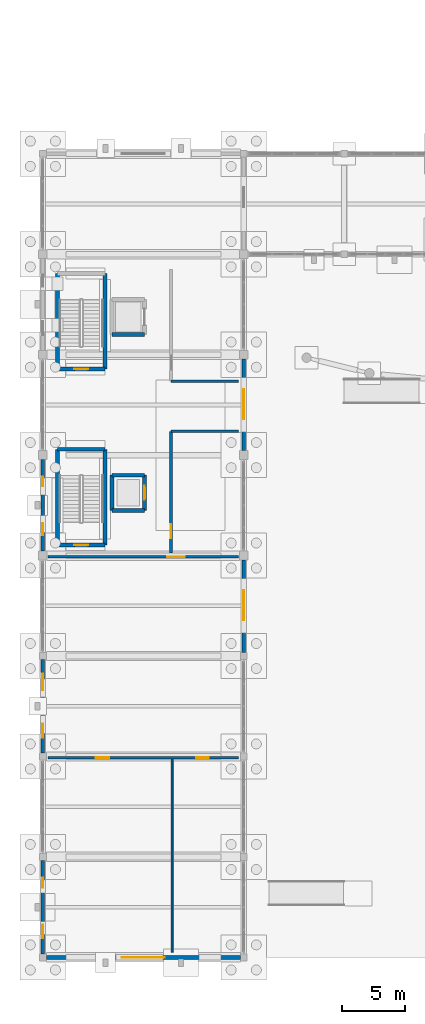
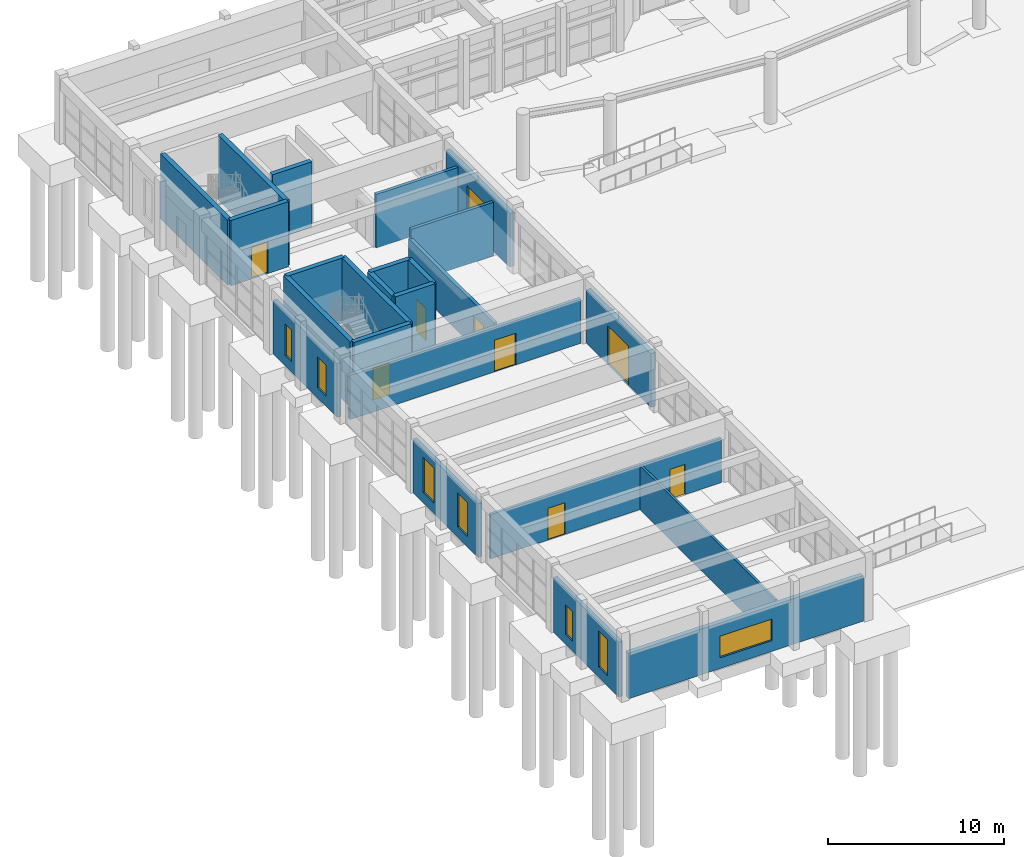
# One storey, part 43 of 68: 24 walls, 9 doors, 7 windows, 16 openings.
"""IFC4 building model written with IfcOpenShell, lengths in metres."""

from ifc_helpers import new_model, si_unit, direction, frame, frame_2d, origin, place, context, subcontext, project, spatial, rectangle, extrude, material, layer, layer_set, type_object, element, fill, save


model = new_model("IFC4")

# Units and contexts
model_context = context("Model", 3, precision=1e-05, world=origin(), true_north=direction((0.0, 1.0)))
body_context = subcontext(model_context, "Body", "Model", "MODEL_VIEW")
ifc_project = project(units=[si_unit("LENGTHUNIT", "METRE"), si_unit("AREAUNIT", "SQUARE_METRE"), si_unit("VOLUMEUNIT", "CUBIC_METRE"), si_unit("PLANEANGLEUNIT", "RADIAN"), si_unit("MASSUNIT", "GRAM", prefix="KILO")], contexts=[model_context])

# Site, building, storey
site_placement = place(None, origin())
site = spatial("IfcSite", under=ifc_project, at=site_placement, CompositionType="ELEMENT")
building_placement = place(site_placement, origin())
building = spatial("IfcBuilding", under=site, at=building_placement, Name="Serraluz Foothill Cableway Terminal", CompositionType="ELEMENT")
storey_placement = place(building_placement, origin())
storey = spatial("IfcBuildingStorey", under=building, at=storey_placement, Name="L00", CompositionType="ELEMENT", Elevation=0.0)

# Wall, openings, windows
ifc_material_1 = material(Name="Fired clay masonry brick (f'm 12 MPa)", Category="masonry")
ifc_layer_1 = layer(ifc_material_1, 0.260009765625, Name="Fired clay masonry brick (f'm 12 MPa)", Category="masonry")
ifc_layer_set_1 = layer_set([ifc_layer_1], Name="Fired clay masonry brick (f'm 12 MPa)")
wall_type_1 = type_object("IfcWallType", Name="TYP-WL-EXT-260", PredefinedType="STANDARD", material=ifc_layer_set_1)
wall_1_placement = place(storey_placement, frame((0.0, 0.27490234375, 0.0), z_axis=(0.0, 0.0, 1.0), x_axis=(0.0, 1.0, 0.0)))
wall_1 = element("IfcWall", 1, at=wall_1_placement, inside=storey, type_object=wall_type_1, Name="Exterior Masonry Wall EW-V5W-L00-0", PredefinedType="STANDARD", context=body_context, shape_type="SweptSolid", body=[
    extrude(rectangle(XDim=7.4501953125, YDim=0.260009765625, at=frame_2d((3.72509765625, 0.0))), origin(), (0.0, 0.0, 1.0), 3.820068359375),
])
opening_1_placement = place(wall_1_placement, frame((1.262939453125, 0.0, 0.719970703125)))
opening_1 = element("IfcOpeningElement", 2, at=opening_1_placement, cuts=wall_1, Name="Opening W-38", PredefinedType="OPENING", context=body_context, shape_type="SweptSolid", body=[
    extrude(rectangle(XDim=1.050048828125, YDim=2.5, at=frame_2d((0.52490234375, 1.25))), frame((0.0, 0.14013671875, 0.0), z_axis=(0.0, -1.0, 0.0), x_axis=(1.0, 0.0, 0.0)), (0.0, 0.0, 1.0), 0.280029296875),
])
opening_2_placement = place(wall_1_placement, frame((5.261962890625, 0.0, 0.719970703125)))
opening_2 = element("IfcOpeningElement", 3, at=opening_2_placement, cuts=wall_1, Name="Opening W-36", PredefinedType="OPENING", context=body_context, shape_type="SweptSolid", body=[
    extrude(rectangle(XDim=0.800048828125, YDim=2.050048828125, at=frame_2d((0.39990234375, 1.02490234375))), frame((0.0, 0.14013671875, 0.0), z_axis=(0.0, -1.0, 0.0), x_axis=(1.0, 0.0, 0.0)), (0.0, 0.0, 1.0), 0.280029296875),
])
ifc_material_2 = material(Name="Laminated low-E safety glass", Category="glass")
window_type_1 = type_object("IfcWindowType", Name="TYP-WN-080X205", PartitioningType="SINGLE_PANEL", PredefinedType="WINDOW", material=ifc_material_2)
window_1_placement = place(opening_2_placement, origin())
window_1 = element("IfcWindow", 4, at=window_1_placement, inside=storey, type_object=window_type_1, Name="Exterior Window EW-V5W-L00-0-WN3", OverallHeight=2.050048828125, OverallWidth=0.800048828125, PartitioningType="SINGLE_PANEL", PredefinedType="WINDOW", context=body_context, shape_type="SweptSolid", body=[
    extrude(rectangle(XDim=0.800048828125, YDim=2.050048828125, at=frame_2d((0.39990234375, 1.02490234375))), frame((0.0, 0.030029296875, 0.0), z_axis=(0.0, -1.0, 0.0), x_axis=(1.0, 0.0, 0.0)), (0.0, 0.0, 1.0), 0.06005859375),
])
fill(opening_2, window_1)
window_type_2 = type_object("IfcWindowType", Name="TYP-WN-105X250", PartitioningType="SINGLE_PANEL", PredefinedType="WINDOW", material=ifc_material_2)
window_2_placement = place(opening_1_placement, origin())
window_2 = element("IfcWindow", 5, at=window_2_placement, inside=storey, type_object=window_type_2, Name="Exterior Window EW-V5W-L00-0-WN1", OverallHeight=2.5, OverallWidth=1.050048828125, PartitioningType="SINGLE_PANEL", PredefinedType="WINDOW", context=body_context, shape_type="SweptSolid", body=[
    extrude(rectangle(XDim=1.050048828125, YDim=2.5, at=frame_2d((0.52490234375, 1.25))), frame((0.0, 0.030029296875, 0.0), z_axis=(0.0, -1.0, 0.0), x_axis=(1.0, 0.0, 0.0)), (0.0, 0.0, 1.0), 0.06005859375),
])
fill(opening_1, window_2)

wall_2_placement = place(storey_placement, frame((0.0, 16.27490234375, 0.0), z_axis=(0.0, 0.0, 1.0), x_axis=(0.0, 1.0, 0.0)))
wall_2 = element("IfcWall", 6, at=wall_2_placement, inside=storey, type_object=wall_type_1, Name="Exterior Masonry Wall EW-V5W-L00-16", PredefinedType="STANDARD", context=body_context, shape_type="SweptSolid", body=[
    extrude(rectangle(XDim=7.4501953125, YDim=0.260009765625, at=frame_2d((3.72509765625, 0.0))), origin(), (0.0, 0.0, 1.0), 3.739990234375),
])
opening_3_placement = place(wall_2_placement, frame((1.22802734375, 0.0, 0.719970703125)))
opening_3 = element("IfcOpeningElement", 7, at=opening_3_placement, cuts=wall_2, Name="Opening W-50", PredefinedType="OPENING", context=body_context, shape_type="SweptSolid", body=[
    extrude(rectangle(XDim=1.1201171875, YDim=2.35009765625, at=frame_2d((0.56005859375, 1.175048828125))), frame((0.0, 0.14013671875, 0.0), z_axis=(0.0, -1.0, 0.0), x_axis=(1.0, 0.0, 0.0)), (0.0, 0.0, 1.0), 0.280029296875),
])
opening_4_placement = place(wall_2_placement, frame((5.011962890625, 0.0, 0.719970703125)))
opening_4 = element("IfcOpeningElement", 8, at=opening_4_placement, cuts=wall_2, Name="Opening W-40", PredefinedType="OPENING", context=body_context, shape_type="SweptSolid", body=[
    extrude(rectangle(XDim=1.300048828125, YDim=2.449951171875, at=frame_2d((0.64990234375, 1.22509765625))), frame((0.0, 0.14013671875, 0.0), z_axis=(0.0, -1.0, 0.0), x_axis=(1.0, 0.0, 0.0)), (0.0, 0.0, 1.0), 0.280029296875),
])
window_type_3 = type_object("IfcWindowType", Name="TYP-WN-112X235", PartitioningType="SINGLE_PANEL", PredefinedType="WINDOW", material=ifc_material_2)
window_3_placement = place(opening_3_placement, origin())
window_3 = element("IfcWindow", 9, at=window_3_placement, inside=storey, type_object=window_type_3, Name="Exterior Window EW-V5W-L00-16-WN1", OverallHeight=2.35009765625, OverallWidth=1.1201171875, PartitioningType="SINGLE_PANEL", PredefinedType="WINDOW", context=body_context, shape_type="SweptSolid", body=[
    extrude(rectangle(XDim=1.1201171875, YDim=2.35009765625, at=frame_2d((0.56005859375, 1.175048828125))), frame((0.0, 0.030029296875, 0.0), z_axis=(0.0, -1.0, 0.0), x_axis=(1.0, 0.0, 0.0)), (0.0, 0.0, 1.0), 0.06005859375),
])
fill(opening_3, window_3)
window_type_4 = type_object("IfcWindowType", Name="TYP-WN-130X245", PartitioningType="DOUBLE_PANEL_VERTICAL", PredefinedType="WINDOW", material=ifc_material_2)
window_4_placement = place(opening_4_placement, origin())
window_4 = element("IfcWindow", 10, at=window_4_placement, inside=storey, type_object=window_type_4, Name="Exterior Window EW-V5W-L00-16-WN3", OverallHeight=2.449951171875, OverallWidth=1.300048828125, PartitioningType="SINGLE_PANEL", PredefinedType="WINDOW", context=body_context, shape_type="SweptSolid", body=[
    extrude(rectangle(XDim=1.300048828125, YDim=2.449951171875, at=frame_2d((0.64990234375, 1.22509765625))), frame((0.0, 0.030029296875, 0.0), z_axis=(0.0, -1.0, 0.0), x_axis=(1.0, 0.0, 0.0)), (0.0, 0.0, 1.0), 0.06005859375),
])
fill(opening_4, window_4)

wall_3_placement = place(storey_placement, frame((0.0, 32.35009765625, 0.0), z_axis=(0.0, 0.0, 1.0), x_axis=(0.0, 1.0, 0.0)))
wall_3 = element("IfcWall", 11, at=wall_3_placement, inside=storey, type_object=wall_type_1, Name="Exterior Masonry Wall EW-V5W-L00-32", PredefinedType="STANDARD", context=body_context, shape_type="SweptSolid", body=[
    extrude(rectangle(XDim=7.2998046875, YDim=0.260009765625, at=frame_2d((3.64990234375, 0.0))), origin(), (0.0, 0.0, 1.0), 3.739990234375),
])
opening_5_placement = place(wall_3_placement, frame((1.261962890625, 0.0, 0.719970703125)))
opening_5 = element("IfcOpeningElement", 12, at=opening_5_placement, cuts=wall_3, Name="Opening W-49", PredefinedType="OPENING", context=body_context, shape_type="SweptSolid", body=[
    extrude(rectangle(XDim=0.97998046875, YDim=2.14990234375, at=frame_2d((0.489990234375, 1.074951171875))), frame((0.0, 0.14013671875, 0.0), z_axis=(0.0, -1.0, 0.0), x_axis=(1.0, 0.0, 0.0)), (0.0, 0.0, 1.0), 0.280029296875),
])
opening_6_placement = place(wall_3_placement, frame((5.173095703125, 0.0, 0.719970703125)))
opening_6 = element("IfcOpeningElement", 13, at=opening_6_placement, cuts=wall_3, Name="Opening W-01", PredefinedType="OPENING", context=body_context, shape_type="SweptSolid", body=[
    extrude(rectangle(XDim=0.75, YDim=2.199951171875, at=frame_2d((0.375, 1.10009765625))), frame((0.0, 0.14013671875, 0.0), z_axis=(0.0, -1.0, 0.0), x_axis=(1.0, 0.0, 0.0)), (0.0, 0.0, 1.0), 0.280029296875),
])
window_type_5 = type_object("IfcWindowType", Name="TYP-WN-075X220", PartitioningType="SINGLE_PANEL", PredefinedType="WINDOW", material=ifc_material_2)
window_5_placement = place(opening_6_placement, origin())
window_5 = element("IfcWindow", 14, at=window_5_placement, inside=storey, type_object=window_type_5, Name="Exterior Window EW-V5W-L00-32-WN3", OverallHeight=2.199951171875, OverallWidth=0.75, PartitioningType="SINGLE_PANEL", PredefinedType="WINDOW", context=body_context, shape_type="SweptSolid", body=[
    extrude(rectangle(XDim=0.75, YDim=2.199951171875, at=frame_2d((0.375, 1.10009765625))), frame((0.0, 0.030029296875, 0.0), z_axis=(0.0, -1.0, 0.0), x_axis=(1.0, 0.0, 0.0)), (0.0, 0.0, 1.0), 0.06005859375),
])
fill(opening_6, window_5)
window_type_6 = type_object("IfcWindowType", Name="TYP-WN-098X215", PartitioningType="SINGLE_PANEL", PredefinedType="WINDOW", material=ifc_material_2)
window_6_placement = place(opening_5_placement, origin())
window_6 = element("IfcWindow", 15, at=window_6_placement, inside=storey, type_object=window_type_6, Name="Exterior Window EW-V5W-L00-32-WN1", OverallHeight=2.14990234375, OverallWidth=0.97998046875, PartitioningType="SINGLE_PANEL", PredefinedType="WINDOW", context=body_context, shape_type="SweptSolid", body=[
    extrude(rectangle(XDim=0.97998046875, YDim=2.14990234375, at=frame_2d((0.489990234375, 1.074951171875))), frame((0.0, 0.030029296875, 0.0), z_axis=(0.0, -1.0, 0.0), x_axis=(1.0, 0.0, 0.0)), (0.0, 0.0, 1.0), 0.06005859375),
])
fill(opening_5, window_6)

# Wall, opening, door
ifc_layer_2 = layer(ifc_material_1, 0.300048828125, Name="Fired clay masonry brick (f'm 12 MPa)", Category="masonry")
ifc_layer_set_2 = layer_set([ifc_layer_2], Name="Fired clay masonry brick (f'm 12 MPa)")
wall_type_2 = type_object("IfcWallType", Name="TYP-WL-EXT-300", PredefinedType="STANDARD", material=ifc_layer_set_2)
wall_4_placement = place(storey_placement, frame((16.0, 31.64990234375, 0.0), z_axis=(0.0, 0.0, 1.0), x_axis=(0.0, -1.0, 0.0)))
wall_4 = element("IfcWall", 16, at=wall_4_placement, inside=storey, type_object=wall_type_2, Name="Exterior Masonry Wall EW-V5E-L00-24", PredefinedType="STANDARD", context=body_context, shape_type="SweptSolid", body=[
    extrude(rectangle(XDim=7.375, YDim=0.300048828125, at=frame_2d((3.6875, 0.0))), origin(), (0.0, 0.0, 1.0), 3.739990234375),
])
opening_7_placement = place(wall_4_placement, frame((2.39990234375, 0.0, 0.0)))
opening_7 = element("IfcOpeningElement", 17, at=opening_7_placement, cuts=wall_4, Name="Opening DE-03", PredefinedType="OPENING", context=body_context, shape_type="SweptSolid", body=[
    extrude(rectangle(XDim=2.39990234375, YDim=2.699951171875, at=frame_2d((1.199951171875, 1.35009765625))), frame((0.0, 0.16015625, 0.0), z_axis=(0.0, -1.0, 0.0), x_axis=(1.0, 0.0, 0.0)), (0.0, 0.0, 1.0), 0.320068359375),
])
ifc_material_3 = material(Name="Architectural bronze alloy C28000", Category="aluminium")
door_type_1 = type_object("IfcDoorType", Name="TYP-DR-EX-2400", OperationType="DOUBLE_DOOR_SINGLE_SWING", PredefinedType="DOOR", material=ifc_material_3)
door_1_placement = place(opening_7_placement, origin())
door_1 = element("IfcDoor", 18, at=door_1_placement, inside=storey, type_object=door_type_1, Name="Main pedestrian exit door D-EX10", OperationType="DOUBLE_DOOR_SINGLE_SWING", OverallHeight=2.699951171875, OverallWidth=2.39990234375, PredefinedType="DOOR", context=body_context, shape_type="SweptSolid", body=[
    extrude(rectangle(XDim=2.39990234375, YDim=2.699951171875, at=frame_2d((1.199951171875, 1.35009765625))), frame((0.0, 0.02490234375, 0.0), z_axis=(0.0, -1.0, 0.0), x_axis=(1.0, 0.0, 0.0)), (0.0, 0.0, 1.0), 0.050048828125),
])
fill(opening_7, door_1)

wall_5_placement = place(storey_placement, frame((16.0, 47.64990234375, 0.0), z_axis=(0.0, 0.0, 1.0), x_axis=(0.0, -1.0, 0.0)))
wall_5 = element("IfcWall", 19, at=wall_5_placement, inside=storey, type_object=wall_type_2, Name="Exterior Masonry Wall EW-V5E-L00-40", PredefinedType="STANDARD", context=body_context, shape_type="SweptSolid", body=[
    extrude(rectangle(XDim=7.2998046875, YDim=0.300048828125, at=frame_2d((3.64990234375, 0.0))), origin(), (0.0, 0.0, 1.0), 3.739990234375),
])
opening_8_placement = place(wall_5_placement, frame((2.39990234375, 0.0, 0.0)))
opening_8 = element("IfcOpeningElement", 20, at=opening_8_placement, cuts=wall_5, Name="Opening DE-03", PredefinedType="OPENING", context=body_context, shape_type="SweptSolid", body=[
    extrude(rectangle(XDim=2.39990234375, YDim=2.699951171875, at=frame_2d((1.199951171875, 1.35009765625))), frame((0.0, 0.16015625, 0.0), z_axis=(0.0, -1.0, 0.0), x_axis=(1.0, 0.0, 0.0)), (0.0, 0.0, 1.0), 0.320068359375),
])
door_2_placement = place(opening_8_placement, origin())
door_2 = element("IfcDoor", 21, at=door_2_placement, inside=storey, type_object=door_type_1, Name="Main pedestrian exit door D-EX11", OperationType="DOUBLE_DOOR_SINGLE_SWING", OverallHeight=2.699951171875, OverallWidth=2.39990234375, PredefinedType="DOOR", context=body_context, shape_type="SweptSolid", body=[
    extrude(rectangle(XDim=2.39990234375, YDim=2.699951171875, at=frame_2d((1.199951171875, 1.35009765625))), frame((0.0, 0.02490234375, 0.0), z_axis=(0.0, -1.0, 0.0), x_axis=(1.0, 0.0, 0.0)), (0.0, 0.0, 1.0), 0.050048828125),
])
fill(opening_8, door_2)

# Wall, opening, window
wall_6_placement = place(storey_placement, frame((15.72509765625, 0.0, 0.0), z_axis=(0.0, 0.0, 1.0), x_axis=(-1.0, 0.0, 0.0)))
wall_6 = element("IfcWall", 22, at=wall_6_placement, inside=storey, type_object=wall_type_2, Name="Exterior Masonry Wall EW-V5S-L00", PredefinedType="STANDARD", context=body_context, shape_type="SweptSolid", body=[
    extrude(rectangle(XDim=15.4501953125, YDim=0.300048828125, at=frame_2d((7.72509765625, 0.0))), origin(), (0.0, 0.0, 1.0), 3.169921875),
])
opening_9_placement = place(wall_6_placement, frame((6.025390625, 0.0, 0.75)))
opening_9 = element("IfcOpeningElement", 23, at=opening_9_placement, cuts=wall_6, Name="Opening W-33", PredefinedType="OPENING", context=body_context, shape_type="SweptSolid", body=[
    extrude(rectangle(XDim=3.39892578125, YDim=1.5, at=frame_2d((1.699462890625, 0.75))), frame((0.0, 0.16015625, 0.0), z_axis=(0.0, -1.0, 0.0), x_axis=(1.0, 0.0, 0.0)), (0.0, 0.0, 1.0), 0.320068359375),
])
window_type_7 = type_object("IfcWindowType", Name="TYP-WN-345X150", PartitioningType="TRIPLE_PANEL_VERTICAL", PredefinedType="WINDOW", material=ifc_material_2)
window_7_placement = place(opening_9_placement, origin())
window_7 = element("IfcWindow", 24, at=window_7_placement, inside=storey, type_object=window_type_7, Name="Exterior Window EW-V5S-L00-WN2", OverallHeight=1.5, OverallWidth=3.39892578125, PartitioningType="SINGLE_PANEL", PredefinedType="WINDOW", context=body_context, shape_type="SweptSolid", body=[
    extrude(rectangle(XDim=3.39892578125, YDim=1.5, at=frame_2d((1.699462890625, 0.75))), frame((0.0, 0.030029296875, 0.0), z_axis=(0.0, -1.0, 0.0), x_axis=(1.0, 0.0, 0.0)), (0.0, 0.0, 1.0), 0.06005859375),
])
fill(opening_9, window_7)

# Wall
ifc_material_4 = material(Name="Lightweight gypsum and steel stud partition", Category="steel")
ifc_layer_3 = layer(ifc_material_4, 0.14990234375, Name="Lightweight gypsum and steel stud partition", Category="steel")
ifc_layer_set_3 = layer_set([ifc_layer_3], Name="Lightweight gypsum and steel stud partition")
wall_type_3 = type_object("IfcWallType", Name="TYP-WL-PRT-150", PredefinedType="PARTITIONING", material=ifc_layer_set_3)
wall_7_placement = place(storey_placement, frame((10.300048828125, 0.39990234375, 0.0), z_axis=(0.0, 0.0, 1.0), x_axis=(0.0, 1.0, 0.0)))
element("IfcWall", 25, at=wall_7_placement, inside=storey, type_object=wall_type_3, Name="Interior Partition PT-L00-16", PredefinedType="PARTITIONING", context=body_context, shape_type="SweptSolid", body=[
    extrude(rectangle(XDim=15.400146484375, YDim=0.14990234375, at=frame_2d((7.7001953125, 0.0))), origin(), (0.0, 0.0, 1.0), 3.08203125),
])

# Wall, openings, doors
ifc_layer_4 = layer(ifc_material_1, 0.179931640625, Name="Fired clay masonry brick (f'm 12 MPa)", Category="masonry")
ifc_layer_set_4 = layer_set([ifc_layer_4], Name="Fired clay masonry brick (f'm 12 MPa)")
wall_type_4 = type_object("IfcWallType", Name="TYP-WL-PRT-180", PredefinedType="PARTITIONING", material=ifc_layer_set_4)
wall_8_placement = place(storey_placement, frame((0.39990234375, 15.89990234375, 0.0), z_axis=(0.0, 0.0, 1.0), x_axis=(1.0, 0.0, 0.0)))
wall_8 = element("IfcWall", 26, at=wall_8_placement, inside=storey, type_object=wall_type_4, Name="Interior Partition PT-L00-15", PredefinedType="PARTITIONING", context=body_context, shape_type="SweptSolid", body=[
    extrude(rectangle(XDim=15.2001953125, YDim=0.179931640625, at=frame_2d((7.60009765625, 0.0))), origin(), (0.0, 0.0, 1.0), 3.08203125),
])
opening_10_placement = place(wall_8_placement, frame((3.800048828125, 0.0, 0.0)))
opening_10 = element("IfcOpeningElement", 27, at=opening_10_placement, cuts=wall_8, Name="Opening DF-03", PredefinedType="OPENING", context=body_context, shape_type="SweptSolid", body=[
    extrude(rectangle(XDim=1.10009765625, YDim=2.199951171875, at=frame_2d((0.550048828125, 1.10009765625))), frame((0.0, 0.10009765625, 0.0), z_axis=(0.0, -1.0, 0.0), x_axis=(1.0, 0.0, 0.0)), (0.0, 0.0, 1.0), 0.199951171875),
])
opening_11_placement = place(wall_8_placement, frame((11.800048828125, 0.0, 0.0)))
opening_11 = element("IfcOpeningElement", 28, at=opening_11_placement, cuts=wall_8, Name="Opening DI-04", PredefinedType="OPENING", context=body_context, shape_type="SweptSolid", body=[
    extrude(rectangle(XDim=1.0, YDim=2.10009765625, at=frame_2d((0.5, 1.050048828125))), frame((0.0, 0.10009765625, 0.0), z_axis=(0.0, -1.0, 0.0), x_axis=(1.0, 0.0, 0.0)), (0.0, 0.0, 1.0), 0.199951171875),
])
ifc_material_5 = material(Name="Kiln-dried Andean oak hardwood", Category="wood")
door_type_2 = type_object("IfcDoorType", Name="TYP-DR-ACC-1000", OperationType="NOTDEFINED", PredefinedType="DOOR", material=ifc_material_5)
door_3_placement = place(opening_11_placement, origin())
door_3 = element("IfcDoor", 29, at=door_3_placement, inside=storey, type_object=door_type_2, Name="Interior Door PT-L00-15-DR2", OperationType="SINGLE_SWING_RIGHT", OverallHeight=2.10009765625, OverallWidth=1.0, PredefinedType="DOOR", context=body_context, shape_type="SweptSolid", body=[
    extrude(rectangle(XDim=1.0, YDim=2.10009765625, at=frame_2d((0.5, 1.050048828125))), frame((0.0, 0.02490234375, 0.0), z_axis=(0.0, -1.0, 0.0), x_axis=(1.0, 0.0, 0.0)), (0.0, 0.0, 1.0), 0.050048828125),
])
fill(opening_11, door_3)
ifc_material_6 = material(Name="Galvanized hollow-metal steel sheet", Category="steel")
door_type_3 = type_object("IfcDoorType", Name="TYP-DR-FD30-1100", OperationType="NOTDEFINED", PredefinedType="DOOR", material=ifc_material_6)
door_4_placement = place(opening_10_placement, origin())
door_4 = element("IfcDoor", 30, at=door_4_placement, inside=storey, type_object=door_type_3, Name="Interior Door PT-L00-15-DR1", OperationType="SINGLE_SWING_LEFT", OverallHeight=2.199951171875, OverallWidth=1.10009765625, PredefinedType="DOOR", context=body_context, shape_type="SweptSolid", body=[
    extrude(rectangle(XDim=1.10009765625, YDim=2.199951171875, at=frame_2d((0.550048828125, 1.10009765625))), frame((0.0, 0.02490234375, 0.0), z_axis=(0.0, -1.0, 0.0), x_axis=(1.0, 0.0, 0.0)), (0.0, 0.0, 1.0), 0.050048828125),
])
fill(opening_10, door_4)

# Walls
ifc_layer_5 = layer(ifc_material_1, 0.199951171875, Name="Fired clay masonry brick (f'm 12 MPa)", Category="masonry")
ifc_layer_set_5 = layer_set([ifc_layer_5], Name="Fired clay masonry brick (f'm 12 MPa)")
wall_type_5 = type_object("IfcWallType", Name="TYP-WL-PRT-200", PredefinedType="PARTITIONING", material=ifc_layer_set_5)
for number, where, z_axis, x_axis, name in (
    (31, (10.199951171875, 41.89990234375, 0.0), (0.0, 0.0, 1.0), (1.0, 0.0, 0.0), "Interior Partition PT-L00-24S"),
    (32, (10.199951171875, 45.89990234375, 0.0), (0.0, 0.0, 1.0), (1.0, 0.0, 0.0), "Interior Partition PT-L00-24N"),
):
    element("IfcWall", number, at=place(storey_placement, frame(where, z_axis=z_axis, x_axis=x_axis)), inside=storey, type_object=wall_type_5, Name=name, PredefinedType="PARTITIONING", context=body_context, shape_type="SweptSolid", body=[
        extrude(rectangle(XDim=5.400146484375, YDim=0.199951171875, at=frame_2d((2.7001953125, 0.0))), origin(), (0.0, 0.0, 1.0), 3.73193359375),
    ])

# Wall, opening, door
ifc_material_7 = material(Name="Concrete C28/35 (f'c 28 MPa)", Category="concrete")
ifc_layer_6 = layer(ifc_material_7, 0.219970703125, Name="Concrete C28/35 (f'c 28 MPa)", Category="concrete")
ifc_layer_set_6 = layer_set([ifc_layer_6], Name="Concrete C28/35 (f'c 28 MPa)")
wall_type_6 = type_object("IfcWallType", Name="TYP-WL-PRT-220", PredefinedType="PARTITIONING", material=ifc_layer_set_6)
wall_9_placement = place(storey_placement, frame((0.39990234375, 31.89990234375, 0.0), z_axis=(0.0, 0.0, 1.0), x_axis=(1.0, 0.0, 0.0)))
wall_9 = element("IfcWall", 33, at=wall_9_placement, inside=storey, type_object=wall_type_6, Name="Interior Partition PT-L00-14", PredefinedType="PARTITIONING", context=body_context, shape_type="SweptSolid", body=[
    extrude(rectangle(XDim=15.2001953125, YDim=0.219970703125, at=frame_2d((7.60009765625, 0.0))), origin(), (0.0, 0.0, 1.0), 3.08203125),
])
opening_12_placement = place(wall_9_placement, frame((9.5, 0.0, 0.0)))
opening_12 = element("IfcOpeningElement", 34, at=opening_12_placement, cuts=wall_9, Name="Opening DF-09", PredefinedType="OPENING", context=body_context, shape_type="SweptSolid", body=[
    extrude(rectangle(XDim=1.39990234375, YDim=2.199951171875, at=frame_2d((0.699951171875, 1.10009765625))), frame((0.0, 0.1201171875, 0.0), z_axis=(0.0, -1.0, 0.0), x_axis=(1.0, 0.0, 0.0)), (0.0, 0.0, 1.0), 0.239990234375),
])
door_type_4 = type_object("IfcDoorType", Name="TYP-DR-FD60-1400", OperationType="DOUBLE_DOOR_SINGLE_SWING", PredefinedType="DOOR", material=ifc_material_6)
door_5_placement = place(opening_12_placement, origin())
door_5 = element("IfcDoor", 35, at=door_5_placement, inside=storey, type_object=door_type_4, Name="Interior Door PT-L00-14-DR1", OperationType="DOUBLE_DOOR_SINGLE_SWING", OverallHeight=2.199951171875, OverallWidth=1.39990234375, PredefinedType="DOOR", context=body_context, shape_type="SweptSolid", body=[
    extrude(rectangle(XDim=1.39990234375, YDim=2.199951171875, at=frame_2d((0.699951171875, 1.10009765625))), frame((0.0, 0.02490234375, 0.0), z_axis=(0.0, -1.0, 0.0), x_axis=(1.0, 0.0, 0.0)), (0.0, 0.0, 1.0), 0.050048828125),
])
fill(opening_12, door_5)

wall_10_placement = place(storey_placement, frame((10.199951171875, 32.199951171875, 0.0), z_axis=(0.0, 0.0, 1.0), x_axis=(0.0, 1.0, 0.0)))
wall_10 = element("IfcWall", 36, at=wall_10_placement, inside=storey, type_object=wall_type_6, Name="Interior Partition PT-L00-24E", PredefinedType="PARTITIONING", context=body_context, shape_type="SweptSolid", body=[
    extrude(rectangle(XDim=9.699951171875, YDim=0.219970703125, at=frame_2d((4.85009765625, 0.0))), origin(), (0.0, 0.0, 1.0), 3.08203125),
])
opening_13_placement = place(wall_10_placement, frame((1.199951171875, 0.0, 0.0)))
opening_13 = element("IfcOpeningElement", 37, at=opening_13_placement, cuts=wall_10, Name="Opening DF-07", PredefinedType="OPENING", context=body_context, shape_type="SweptSolid", body=[
    extrude(rectangle(XDim=1.10009765625, YDim=2.199951171875, at=frame_2d((0.550048828125, 1.10009765625))), frame((0.0, 0.1201171875, 0.0), z_axis=(0.0, -1.0, 0.0), x_axis=(1.0, 0.0, 0.0)), (0.0, 0.0, 1.0), 0.239990234375),
])
door_type_5 = type_object("IfcDoorType", Name="TYP-DR-FD60-1100", OperationType="NOTDEFINED", PredefinedType="DOOR", material=ifc_material_6)
door_6_placement = place(opening_13_placement, origin())
door_6 = element("IfcDoor", 38, at=door_6_placement, inside=storey, type_object=door_type_5, Name="Interior Door PT-L00-24E-DR1", OperationType="SINGLE_SWING_RIGHT", OverallHeight=2.199951171875, OverallWidth=1.10009765625, PredefinedType="DOOR", context=body_context, shape_type="SweptSolid", body=[
    extrude(rectangle(XDim=1.10009765625, YDim=2.199951171875, at=frame_2d((0.550048828125, 1.10009765625))), frame((0.0, 0.02490234375, 0.0), z_axis=(0.0, -1.0, 0.0), x_axis=(1.0, 0.0, 0.0)), (0.0, 0.0, 1.0), 0.050048828125),
])
fill(opening_13, door_6)

ifc_material_8 = material(Name="Concrete C35/45 (f'c 35 MPa)", Category="concrete")
ifc_layer_7 = layer(ifc_material_8, 0.300048828125, Name="Concrete C35/45 (f'c 35 MPa)", Category="concrete")
ifc_layer_set_7 = layer_set([ifc_layer_7], Name="Concrete C35/45 (f'c 35 MPa)")
wall_type_7 = type_object("IfcWallType", Name="TYP-WL-SHR-350", PredefinedType="SHEAR", material=ifc_layer_set_7)
wall_11_placement = place(storey_placement, frame((4.949951171875, 46.85009765625, 0.0), z_axis=(0.0, 0.0, 1.0), x_axis=(-1.0, 0.0, 0.0)))
wall_11 = element("IfcWall", 39, at=wall_11_placement, inside=storey, type_object=wall_type_7, Name="Stair Core Shear Wall CW-ST-01-L00-S", PredefinedType="SHEAR", context=body_context, shape_type="SweptSolid", body=[
    extrude(rectangle(XDim=3.780029296875, YDim=0.300048828125, at=frame_2d((1.89013671875, 0.0))), origin(), (0.0, 0.0, 1.0), 4.5400390625),
])
opening_14_placement = place(wall_11_placement, frame((1.340087890625, 0.0, 0.0)))
opening_14 = element("IfcOpeningElement", 40, at=opening_14_placement, cuts=wall_11, Name="Opening DF-07", PredefinedType="OPENING", context=body_context, shape_type="SweptSolid", body=[
    extrude(rectangle(XDim=1.10009765625, YDim=2.199951171875, at=frame_2d((0.550048828125, 1.10009765625))), frame((0.0, 0.16015625, 0.0), z_axis=(0.0, -1.0, 0.0), x_axis=(1.0, 0.0, 0.0)), (0.0, 0.0, 1.0), 0.320068359375),
])
door_7_placement = place(opening_14_placement, origin())
door_7 = element("IfcDoor", 41, at=door_7_placement, inside=storey, type_object=door_type_5, Name="Exit Stair Fire Door ST-01 L00", OperationType="SINGLE_SWING_RIGHT", OverallHeight=2.199951171875, OverallWidth=1.10009765625, PredefinedType="DOOR", context=body_context, shape_type="SweptSolid", body=[
    extrude(rectangle(XDim=1.10009765625, YDim=2.199951171875, at=frame_2d((0.550048828125, 1.10009765625))), frame((0.0, 0.02490234375, 0.0), z_axis=(0.0, -1.0, 0.0), x_axis=(1.0, 0.0, 0.0)), (0.0, 0.0, 1.0), 0.050048828125),
])
fill(opening_14, door_7)

# Walls
for number, where, z_axis, x_axis, name in (
    (42, (1.169921875, 46.85009765625, 0.0), (0.0, 0.0, 1.0), (0.0, 1.0, 0.0), "Stair Core Shear Wall CW-ST-01-L00-W"),
    (43, (4.949951171875, 54.4599609375, 0.0), (0.0, 0.0, 1.0), (0.0, -1.0, 0.0), "Stair Core Shear Wall CW-ST-01-L00-E"),
):
    element("IfcWall", number, at=place(storey_placement, frame(where, z_axis=z_axis, x_axis=x_axis)), inside=storey, type_object=wall_type_7, Name=name, PredefinedType="SHEAR", context=body_context, shape_type="SweptSolid", body=[
        extrude(rectangle(XDim=7.60986328125, YDim=0.300048828125, at=frame_2d((3.804931640625, 0.0))), origin(), (0.0, 0.0, 1.0), 4.5400390625),
    ])

# Wall, opening, door
wall_12_placement = place(storey_placement, frame((4.949951171875, 32.85009765625, 0.0), z_axis=(0.0, 0.0, 1.0), x_axis=(-1.0, 0.0, 0.0)))
wall_12 = element("IfcWall", 44, at=wall_12_placement, inside=storey, type_object=wall_type_7, Name="Stair Core Shear Wall CW-ST-02-L00-S", PredefinedType="SHEAR", context=body_context, shape_type="SweptSolid", body=[
    extrude(rectangle(XDim=3.780029296875, YDim=0.300048828125, at=frame_2d((1.89013671875, 0.0))), origin(), (0.0, 0.0, 1.0), 4.5400390625),
])
opening_15_placement = place(wall_12_placement, frame((1.340087890625, 0.0, 0.0)))
opening_15 = element("IfcOpeningElement", 45, at=opening_15_placement, cuts=wall_12, Name="Opening DF-07", PredefinedType="OPENING", context=body_context, shape_type="SweptSolid", body=[
    extrude(rectangle(XDim=1.10009765625, YDim=2.199951171875, at=frame_2d((0.550048828125, 1.10009765625))), frame((0.0, 0.16015625, 0.0), z_axis=(0.0, -1.0, 0.0), x_axis=(1.0, 0.0, 0.0)), (0.0, 0.0, 1.0), 0.320068359375),
])
door_8_placement = place(opening_15_placement, origin())
door_8 = element("IfcDoor", 46, at=door_8_placement, inside=storey, type_object=door_type_5, Name="Exit Stair Fire Door ST-02 L00", OperationType="SINGLE_SWING_LEFT", OverallHeight=2.199951171875, OverallWidth=1.10009765625, PredefinedType="DOOR", context=body_context, shape_type="SweptSolid", body=[
    extrude(rectangle(XDim=1.10009765625, YDim=2.199951171875, at=frame_2d((0.550048828125, 1.10009765625))), frame((0.0, 0.02490234375, 0.0), z_axis=(0.0, -1.0, 0.0), x_axis=(1.0, 0.0, 0.0)), (0.0, 0.0, 1.0), 0.050048828125),
])
fill(opening_15, door_8)

# Walls
wall_13_placement = place(storey_placement, frame((1.169921875, 32.85009765625, 0.0), z_axis=(0.0, 0.0, 1.0), x_axis=(0.0, 1.0, 0.0)))
element("IfcWall", 47, at=wall_13_placement, inside=storey, type_object=wall_type_7, Name="Stair Core Shear Wall CW-ST-02-L00-W", PredefinedType="SHEAR", context=body_context, shape_type="SweptSolid", body=[
    extrude(rectangle(XDim=7.60986328125, YDim=0.300048828125, at=frame_2d((3.804931640625, 0.0))), origin(), (0.0, 0.0, 1.0), 4.5400390625),
])
wall_14_placement = place(storey_placement, frame((1.169921875, 40.4599609375, 0.0), z_axis=(0.0, 0.0, 1.0), x_axis=(1.0, 0.0, 0.0)))
element("IfcWall", 48, at=wall_14_placement, inside=storey, type_object=wall_type_7, Name="Stair Core Shear Wall CW-ST-02-L00-N", PredefinedType="SHEAR", context=body_context, shape_type="SweptSolid", body=[
    extrude(rectangle(XDim=3.780029296875, YDim=0.300048828125, at=frame_2d((1.89013671875, 0.0))), origin(), (0.0, 0.0, 1.0), 4.5400390625),
])
wall_15_placement = place(storey_placement, frame((4.949951171875, 40.4599609375, 0.0), z_axis=(0.0, 0.0, 1.0), x_axis=(0.0, -1.0, 0.0)))
element("IfcWall", 49, at=wall_15_placement, inside=storey, type_object=wall_type_7, Name="Stair Core Shear Wall CW-ST-02-L00-E", PredefinedType="SHEAR", context=body_context, shape_type="SweptSolid", body=[
    extrude(rectangle(XDim=7.60986328125, YDim=0.300048828125, at=frame_2d((3.804931640625, 0.0))), origin(), (0.0, 0.0, 1.0), 4.5400390625),
])
for number, where, z_axis, x_axis, name in (
    (50, (8.10009765625, 49.60009765625, 0.0), (0.0, 0.0, 1.0), (-1.0, 0.0, 0.0), "Lift Shaft Shear Wall LW-LF-01-L00-S"),
    (51, (8.10009765625, 35.60009765625, 0.0), (0.0, 0.0, 1.0), (-1.0, 0.0, 0.0), "Lift Shaft Shear Wall LW-LF-02-L00-S"),
):
    element("IfcWall", number, at=place(storey_placement, frame(where, z_axis=z_axis, x_axis=x_axis)), inside=storey, type_object=wall_type_7, Name=name, PredefinedType="SHEAR", context=body_context, shape_type="SweptSolid", body=[
        extrude(rectangle(XDim=2.60009765625, YDim=0.300048828125, at=frame_2d((1.300048828125, 0.0))), origin(), (0.0, 0.0, 1.0), 4.5400390625),
    ])
wall_16_placement = place(storey_placement, frame((5.5, 35.60009765625, 0.0), z_axis=(0.0, 0.0, 1.0), x_axis=(0.0, 1.0, 0.0)))
element("IfcWall", 52, at=wall_16_placement, inside=storey, type_object=wall_type_7, Name="Lift Shaft Shear Wall LW-LF-02-L00-W", PredefinedType="SHEAR", context=body_context, shape_type="SweptSolid", body=[
    extrude(rectangle(XDim=2.7998046875, YDim=0.300048828125, at=frame_2d((1.39990234375, 0.0))), origin(), (0.0, 0.0, 1.0), 4.5400390625),
])
wall_17_placement = place(storey_placement, frame((5.5, 38.39990234375, 0.0), z_axis=(0.0, 0.0, 1.0), x_axis=(1.0, 0.0, 0.0)))
element("IfcWall", 53, at=wall_17_placement, inside=storey, type_object=wall_type_7, Name="Lift Shaft Shear Wall LW-LF-02-L00-N", PredefinedType="SHEAR", context=body_context, shape_type="SweptSolid", body=[
    extrude(rectangle(XDim=2.60009765625, YDim=0.300048828125, at=frame_2d((1.300048828125, 0.0))), origin(), (0.0, 0.0, 1.0), 4.5400390625),
])

# Wall, opening, door
wall_18_placement = place(storey_placement, frame((8.10009765625, 38.39990234375, 0.0), z_axis=(0.0, 0.0, 1.0), x_axis=(0.0, -1.0, 0.0)))
wall_18 = element("IfcWall", 54, at=wall_18_placement, inside=storey, type_object=wall_type_7, Name="Lift Shaft Shear Wall LW-LF-02-L00-E", PredefinedType="SHEAR", context=body_context, shape_type="SweptSolid", body=[
    extrude(rectangle(XDim=2.7998046875, YDim=0.300048828125, at=frame_2d((1.39990234375, 0.0))), origin(), (0.0, 0.0, 1.0), 4.5400390625),
])
opening_16_placement = place(wall_18_placement, frame((0.85009765625, 0.0, 0.0)))
opening_16 = element("IfcOpeningElement", 55, at=opening_16_placement, cuts=wall_18, Name="Opening LD-01", PredefinedType="OPENING", context=body_context, shape_type="SweptSolid", body=[
    extrude(rectangle(XDim=1.10009765625, YDim=2.199951171875, at=frame_2d((0.550048828125, 1.10009765625))), frame((0.0, 0.16015625, 0.0), z_axis=(0.0, -1.0, 0.0), x_axis=(1.0, 0.0, 0.0)), (0.0, 0.0, 1.0), 0.320068359375),
])
door_type_6 = type_object("IfcDoorType", Name="TYP-DR-LD-1100", OperationType="DOUBLE_DOOR_SLIDING", PredefinedType="DOOR", material=ifc_material_6)
door_9_placement = place(opening_16_placement, origin())
door_9 = element("IfcDoor", 56, at=door_9_placement, inside=storey, type_object=door_type_6, Name="Lift Sliding Landing Door LF-02 L00", OperationType="DOUBLE_DOOR_SLIDING", OverallHeight=2.199951171875, OverallWidth=1.10009765625, PredefinedType="DOOR", context=body_context, shape_type="SweptSolid", body=[
    extrude(rectangle(XDim=1.10009765625, YDim=2.199951171875, at=frame_2d((0.550048828125, 1.10009765625))), frame((0.0, 0.02490234375, 0.0), z_axis=(0.0, -1.0, 0.0), x_axis=(1.0, 0.0, 0.0)), (0.0, 0.0, 1.0), 0.050048828125),
])
fill(opening_16, door_9)

save(model, "model.ifc")
